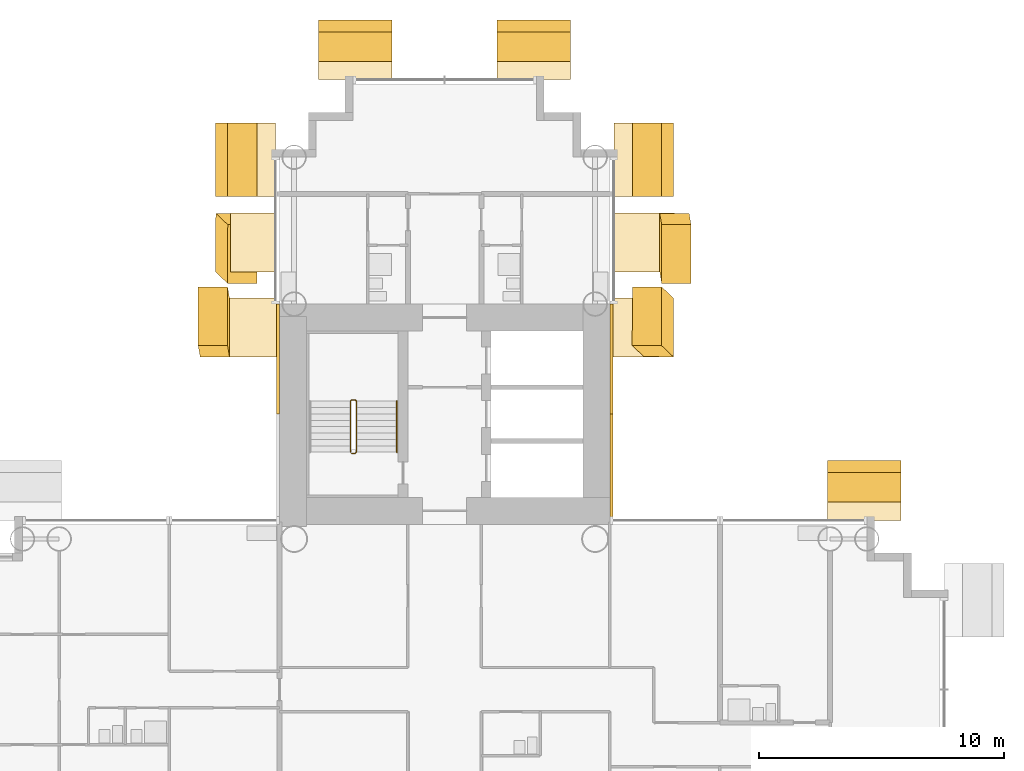
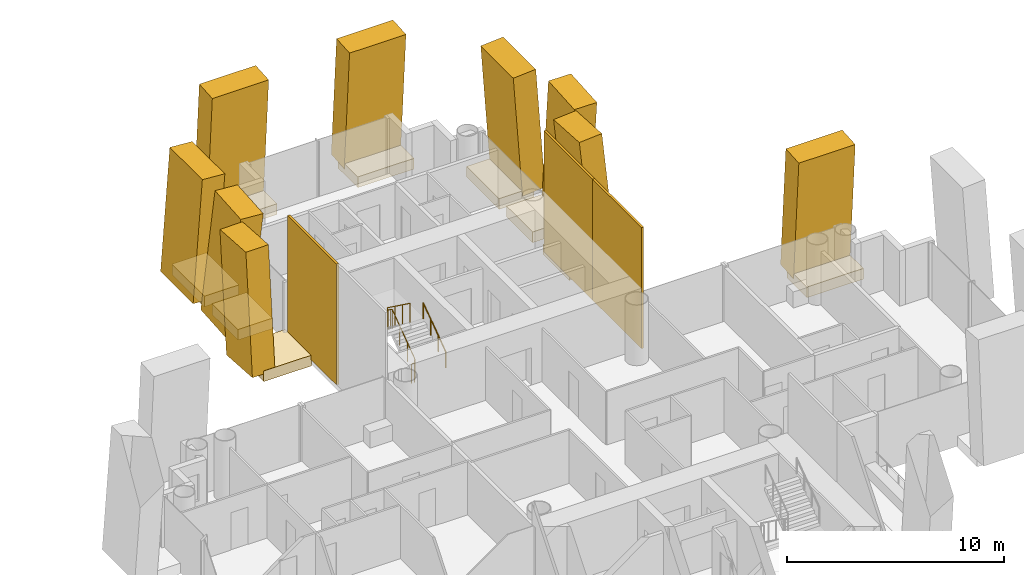
# One storey, part 24 of 25: 21 coverings, 2 railings.
"""IFC4 building model written with IfcOpenShell, lengths in metres."""

from ifc_helpers import new_model, si_unit, direction, frame, origin, origin_2d, place, context, subcontext, project, spatial, rectangle, circle, extrude, material, layer, layer_set, material_profile, profile_set, type_object, element, save


model = new_model("IFC4")

# Units and contexts
model_context = context("Model", 3, precision=1e-05, world=origin(), true_north=direction((0.0, 1.0)))
body_context = subcontext(model_context, "Body", "Model", "MODEL_VIEW")
ifc_project = project(units=[si_unit("LENGTHUNIT", "METRE"), si_unit("AREAUNIT", "SQUARE_METRE"), si_unit("VOLUMEUNIT", "CUBIC_METRE"), si_unit("PLANEANGLEUNIT", "RADIAN"), si_unit("MASSUNIT", "GRAM", prefix="KILO")], contexts=[model_context])

# Site, building, storey
site_placement = place(None, origin())
site = spatial("IfcSite", under=ifc_project, at=site_placement, CompositionType="ELEMENT")
building_placement = place(site_placement, origin())
building = spatial("IfcBuilding", under=site, at=building_placement, Name="Ipe Terrace Towers", CompositionType="ELEMENT")
storey_placement = place(building_placement, frame((0.0, 0.0, 31.300048828125)))
storey = spatial("IfcBuildingStorey", under=building, at=storey_placement, Name="L07", CompositionType="ELEMENT", Elevation=31.300048828125)

# Coverings
ifc_material_1 = material(Name="Concrete C50/60 precast, buff finish", Category="concrete")
ifc_layer = layer(ifc_material_1, 0.1201171875)
ifc_layer_set = layer_set([ifc_layer], Name="STONE CORE CLADDING 120")
covering_type_1 = type_object("IfcCoveringType", Name="STONE CORE CLADDING 120", PredefinedType="CLADDING", material=ifc_layer_set)
covering_1_placement = place(storey_placement, frame((29.18994140625, 13.5, 0.0), z_axis=(0.0, 0.0, 1.0), x_axis=(0.0, -1.0, 0.0)))
element("IfcCovering", 1, at=covering_1_placement, inside=storey, type_object=covering_type_1, Name="stone core cladding", PredefinedType="CLADDING", context=body_context, shape_type="SweptSolid", body=[
    extrude(rectangle(XDim=4.5009765625, YDim=0.1201171875, at=origin_2d()), origin(), (0.0, 0.0, 1.0), 6.800048828125),
])
covering_2_placement = place(storey_placement, frame((42.81005859375, 9.0, 0.0), z_axis=(0.0, 0.0, 1.0), x_axis=(0.0, 1.0, 0.0)))
element("IfcCovering", 2, at=covering_2_placement, inside=storey, type_object=covering_type_1, Name="stone core cladding", PredefinedType="CLADDING", context=body_context, shape_type="SweptSolid", body=[
    extrude(rectangle(XDim=4.5, YDim=0.1201171875, at=origin_2d()), origin(), (0.0, 0.0, 1.0), 6.800048828125),
])
covering_3_placement = place(storey_placement, frame((42.81005859375, 13.5, 0.0), z_axis=(0.0, 0.0, 1.0), x_axis=(0.0, 1.0, 0.0)))
element("IfcCovering", 3, at=covering_3_placement, inside=storey, type_object=covering_type_1, Name="stone core cladding", PredefinedType="CLADDING", context=body_context, shape_type="SweptSolid", body=[
    extrude(rectangle(XDim=4.5009765625, YDim=0.1201171875, at=origin_2d()), origin(), (0.0, 0.0, 1.0), 6.800048828125),
])
ifc_material_2 = material(Name="Concrete C50/60 precast, buff finish", Category="concrete")
ifc_material_profile_1 = material_profile(ifc_material_2, rectangle(XDim=2.39990234375, YDim=1.199951171875, at=origin_2d()), Name="STONE FIN 2400 x 1200")
ifc_profile_set_1 = profile_set([ifc_material_profile_1], Name="Concrete C50/60 precast, buff finish")
covering_type_2 = type_object("IfcCoveringType", Name="STONE FIN 2400 x 1200", PredefinedType="USERDEFINED", material=ifc_profile_set_1)
covering_4_placement = place(storey_placement, frame((26.611083984375, 14.7890625, 0.0), z_axis=(-0.011604746907, 0.068052528161, 0.997614245718), x_axis=(-0.000791567422, -0.99768173954, 0.068047924363)))
element("IfcCovering", 4, at=covering_4_placement, inside=storey, type_object=covering_type_2, Name="stone fin", ObjectType="FIN", PredefinedType="USERDEFINED", context=body_context, shape_type="SweptSolid", body=[
    extrude(rectangle(XDim=2.39990234375, YDim=1.199951171875, at=origin_2d()), origin(), (0.0, 0.0, 1.0), 6.81640625),
])
for number, where, z_axis, x_axis, name in (
    (5, (27.241943359375, 18.260986328125, 0.0), (0.071704749447, -0.067881925236, 0.995113296632), (-0.004878709859, -0.997693361823, -0.067706380526), "stone fin"),
    (6, (44.758056640625, 14.7890625, 0.0), (-0.071704749447, 0.067881925236, 0.995113296632), (0.004878709859, 0.997693361823, -0.067706380526), "stone fin"),
):
    element("IfcCovering", number, at=place(storey_placement, frame(where, z_axis=z_axis, x_axis=x_axis)), inside=storey, type_object=covering_type_2, Name=name, ObjectType="FIN", PredefinedType="USERDEFINED", context=body_context, shape_type="SweptSolid", body=[
        extrude(rectangle(XDim=2.39990234375, YDim=1.199951171875, at=origin_2d()), origin(), (0.0, 0.0, 1.0), 6.83349609375),
    ])
covering_5_placement = place(storey_placement, frame((45.388916015625, 18.260986328125, 0.0), z_axis=(0.011604746907, -0.068052528161, 0.997614245718), x_axis=(0.000791567422, 0.99768173954, 0.068047924363)))
element("IfcCovering", 7, at=covering_5_placement, inside=storey, type_object=covering_type_2, Name="stone fin", ObjectType="FIN", PredefinedType="USERDEFINED", context=body_context, shape_type="SweptSolid", body=[
    extrude(rectangle(XDim=2.39990234375, YDim=1.199951171875, at=origin_2d()), origin(), (0.0, 0.0, 1.0), 6.81640625),
])
ifc_material_3 = material(Name="Concrete C50/60 precast, buff finish", Category="concrete")
ifc_material_profile_2 = material_profile(ifc_material_3, rectangle(XDim=3.0, YDim=1.199951171875, at=origin_2d()), Name="STONE FIN CORNER 3000 x 1200")
ifc_profile_set_2 = profile_set([ifc_material_profile_2], Name="Concrete C50/60 precast, buff finish")
covering_type_3 = type_object("IfcCoveringType", Name="STONE FIN CORNER 3000 x 1200", PredefinedType="USERDEFINED", material=ifc_profile_set_2)
for number, where, z_axis, x_axis, name in (
    (8, (27.241943359375, 21.64990234375, 0.0), (0.071870528752, 0.0, 0.997413969772), (0.0, -1.0, 0.0), "stone fin"),
    (9, (32.35009765625, 26.758056640625, 0.0), (0.0, -0.071870528752, 0.997413969772), (-1.0, 0.0, 0.0), "stone fin"),
    (10, (39.64990234375, 26.758056640625, 0.0), (0.0, -0.071870528752, 0.997413969772), (-1.0, 0.0, 0.0), "stone fin"),
    (11, (44.758056640625, 21.64990234375, 0.0), (-0.071870528752, 0.0, 0.997413969772), (0.0, 1.0, 0.0), "stone fin"),
    (12, (53.14990234375, 8.758056640625, 0.0), (0.0, -0.071870528752, 0.997413969772), (-1.0, 0.0, 0.0), "stone fin"),
):
    element("IfcCovering", number, at=place(storey_placement, frame(where, z_axis=z_axis, x_axis=x_axis)), inside=storey, type_object=covering_type_3, Name=name, ObjectType="FIN", PredefinedType="USERDEFINED", context=body_context, shape_type="SweptSolid", body=[
        extrude(rectangle(XDim=3.0, YDim=1.199951171875, at=origin_2d()), origin(), (0.0, 0.0, 1.0), 6.817626953125),
    ])
ifc_material_4 = material(Name="Concrete C50/60 precast, buff finish", Category="concrete")
covering_type_4 = type_object("IfcCoveringType", Name="STONE FIN SHELF 2400 x 600", PredefinedType="CLADDING", material=ifc_material_4)
covering_6_placement = place(storey_placement, frame((27.875, 14.7890625, -0.35009765625), z_axis=(0.0, 0.0, 1.0), x_axis=(0.0, -1.0, 0.0)))
element("IfcCovering", 13, at=covering_6_placement, inside=storey, type_object=covering_type_4, Name="stone fin shelf", PredefinedType="CLADDING", context=body_context, shape_type="SweptSolid", body=[
    extrude(rectangle(XDim=2.39990234375, YDim=2.529052734375, at=origin_2d()), origin(), (0.0, 0.0, 1.0), 0.60009765625),
])
covering_7_placement = place(storey_placement, frame((28.1630859375, 18.260986328125, -0.35009765625), z_axis=(0.0, 0.0, 1.0), x_axis=(0.0, -1.0, 0.0)))
element("IfcCovering", 14, at=covering_7_placement, inside=storey, type_object=covering_type_4, Name="stone fin shelf", PredefinedType="CLADDING", context=body_context, shape_type="SweptSolid", body=[
    extrude(rectangle(XDim=2.39990234375, YDim=1.842041015625, at=origin_2d()), origin(), (0.0, 0.0, 1.0), 0.60009765625),
])
covering_8_placement = place(storey_placement, frame((43.80908203125, 14.7890625, -0.35009765625), z_axis=(0.0, 0.0, 1.0), x_axis=(0.0, 1.0, 0.0)))
element("IfcCovering", 15, at=covering_8_placement, inside=storey, type_object=covering_type_4, Name="stone fin shelf", PredefinedType="CLADDING", context=body_context, shape_type="SweptSolid", body=[
    extrude(rectangle(XDim=2.39990234375, YDim=1.89794921875, at=origin_2d()), origin(), (0.0, 0.0, 1.0), 0.60009765625),
])
covering_9_placement = place(storey_placement, frame((44.153076171875, 18.260986328125, -0.35009765625), z_axis=(0.0, 0.0, 1.0), x_axis=(0.0, 1.0, 0.0)))
element("IfcCovering", 16, at=covering_9_placement, inside=storey, type_object=covering_type_4, Name="stone fin shelf", PredefinedType="CLADDING", context=body_context, shape_type="SweptSolid", body=[
    extrude(rectangle(XDim=2.39990234375, YDim=2.472900390625, at=origin_2d()), origin(), (0.0, 0.0, 1.0), 0.60009765625),
])
ifc_material_5 = material(Name="Concrete C50/60 precast, buff finish", Category="concrete")
covering_type_5 = type_object("IfcCoveringType", Name="STONE FIN SHELF 3000 x 600", PredefinedType="CLADDING", material=ifc_material_5)
for number, where, z_axis, x_axis, name in (
    (17, (28.1630859375, 21.64990234375, -0.35009765625), (0.0, 0.0, 1.0), (0.0, -1.0, 0.0), "stone fin shelf"),
    (18, (32.35009765625, 25.8369140625, -0.35009765625), (0.0, 0.0, 1.0), (-1.0, 0.0, 0.0), "stone fin shelf"),
    (19, (39.64990234375, 25.8369140625, -0.35009765625), (0.0, 0.0, 1.0), (-1.0, 0.0, 0.0), "stone fin shelf"),
    (20, (43.8369140625, 21.64990234375, -0.35009765625), (0.0, 0.0, 1.0), (0.0, 1.0, 0.0), "stone fin shelf"),
    (21, (53.14990234375, 7.8369140625, -0.35009765625), (0.0, 0.0, 1.0), (-1.0, 0.0, 0.0), "stone fin shelf"),
):
    element("IfcCovering", number, at=place(storey_placement, frame(where, z_axis=z_axis, x_axis=x_axis)), inside=storey, type_object=covering_type_5, Name=name, PredefinedType="CLADDING", context=body_context, shape_type="SweptSolid", body=[
        extrude(rectangle(XDim=3.0, YDim=1.842041015625, at=origin_2d()), origin(), (0.0, 0.0, 1.0), 0.60009765625),
    ])

# Railings
ifc_material_6 = material(Name="Steel S355", Category="steel")
railing_type_1 = type_object("IfcRailingType", Name="Stair guard 1100", PredefinedType="GUARDRAIL", material=ifc_material_6)
railing_1_placement = place(storey_placement, frame((32.199951171875, 9.64990234375, 0.0)))
element("IfcRailing", 22, at=railing_1_placement, inside=storey, type_object=railing_type_1, Name="L07 T2-ST1 stair guard 1", PredefinedType="GUARDRAIL", context=body_context, shape_type="SweptSolid", body=[
    extrude(circle(Radius=0.02392578125, at=origin_2d()), frame((0.0, 0.0, 1.076171875), z_axis=(1.0, 0.0, 0.0), x_axis=(0.0, 1.0, 0.0)), (0.0, 0.0, 1.0), 0.150146484375),
    extrude(circle(Radius=0.02392578125, at=origin_2d()), frame((0.150146484375, 0.0, 1.076171875), z_axis=(0.247173786771, 0.248385422981, 0.936594790069), x_axis=(-0.708833529934, 0.705375805398, 0.0)), (0.0, 0.0, 1.0), 0.201416015625),
    extrude(circle(Radius=0.02392578125, at=origin_2d()), frame((0.199951171875, 0.050048828125, 1.2646484375), z_axis=(0.0, 0.809023421508, 0.587776406001), x_axis=(-1.0, 0.0, 0.0)), (0.0, 0.0, 1.0), 2.571044921875),
    extrude(circle(Radius=0.02392578125, at=origin_2d()), frame((0.199951171875, 2.130126953125, 2.77587890625), z_axis=(-0.705375805398, 0.708833529934, 0.0), x_axis=(-0.708833529934, -0.705375805398, 0.0)), (0.0, 0.0, 1.0), 0.070556640625),
    extrude(circle(Radius=0.02392578125, at=origin_2d()), frame((0.150146484375, 2.18017578125, 2.77587890625), z_axis=(-1.0, 0.0, 0.0), x_axis=(0.0, -1.0, 0.0)), (0.0, 0.0, 1.0), 0.150146484375),
    extrude(circle(Radius=0.02392578125, at=origin_2d()), frame((0.0, 2.18017578125, 2.77587890625), z_axis=(-0.248029566107, -0.248029566107, 0.936462849596), x_axis=(0.707106781187, -0.707106781187, 0.0)), (0.0, 0.0, 1.0), 0.201904296875),
    extrude(circle(Radius=0.02392578125, at=origin_2d()), frame((-0.050048828125, 2.130126953125, 2.96484375), z_axis=(0.0, -0.809068575486, 0.587714250432), x_axis=(1.0, 0.0, 0.0)), (0.0, 0.0, 1.0), 2.571044921875),
    extrude(circle(Radius=0.02099609375, at=origin_2d()), origin(), (0.0, 0.0, 1.0), 1.052001953125),
    extrude(circle(Radius=0.02099609375, at=origin_2d()), frame((0.150146484375, 0.0, 0.0)), (0.0, 0.0, 1.0), 1.052001953125),
    extrude(circle(Radius=0.02099609375, at=origin_2d()), frame((0.199951171875, 0.050048828125, 0.188720703125)), (0.0, 0.0, 1.0), 1.052001953125),
    extrude(circle(Radius=0.02099609375, at=origin_2d()), frame((0.199951171875, 0.743408203125, 0.6923828125)), (0.0, 0.0, 1.0), 1.052001953125),
    extrude(circle(Radius=0.02099609375, at=origin_2d()), frame((0.199951171875, 1.436767578125, 1.1962890625)), (0.0, 0.0, 1.0), 1.052001953125),
    extrude(circle(Radius=0.02099609375, at=origin_2d()), frame((0.199951171875, 2.130126953125, 1.699951171875)), (0.0, 0.0, 1.0), 1.052001953125),
    extrude(circle(Radius=0.02099609375, at=origin_2d()), frame((0.150146484375, 2.18017578125, 1.699951171875)), (0.0, 0.0, 1.0), 1.052001953125),
    extrude(circle(Radius=0.02099609375, at=origin_2d()), frame((0.0, 2.18017578125, 1.699951171875)), (0.0, 0.0, 1.0), 1.052001953125),
    extrude(circle(Radius=0.02099609375, at=origin_2d()), frame((-0.050048828125, 2.130126953125, 1.888916015625)), (0.0, 0.0, 1.0), 1.052001953125),
    extrude(circle(Radius=0.02099609375, at=origin_2d()), frame((-0.050048828125, 1.436767578125, 2.392578125)), (0.0, 0.0, 1.0), 1.052001953125),
    extrude(circle(Radius=0.02099609375, at=origin_2d()), frame((-0.050048828125, 0.743408203125, 2.896240234375)), (0.0, 0.0, 1.0), 1.052001953125),
    extrude(circle(Radius=0.02099609375, at=origin_2d()), frame((-0.050048828125, 0.050048828125, 3.39990234375)), (0.0, 0.0, 1.0), 1.052001953125),
])
ifc_material_7 = material(Name="Stainless steel grade 304", Category="steel")
railing_type_2 = type_object("IfcRailingType", Name="Stair handrail 900", PredefinedType="HANDRAIL", material=ifc_material_7)
railing_2_placement = place(storey_placement, frame((34.050048828125, 9.699951171875, 0.188720703125)))
element("IfcRailing", 23, at=railing_2_placement, inside=storey, type_object=railing_type_2, Name="L07 T2-ST1 stair handrail 1", PredefinedType="HANDRAIL", context=body_context, shape_type="SweptSolid", body=[
    extrude(circle(Radius=0.02392578125, at=origin_2d()), frame((0.0, 0.0, 0.8759765625), z_axis=(0.0, 0.809023421508, 0.587776406001), x_axis=(-1.0, 0.0, 0.0)), (0.0, 0.0, 1.0), 2.571044921875),
    extrude(circle(Radius=0.02099609375, at=origin_2d()), origin(), (0.0, 0.0, 1.0), 0.851806640625),
    extrude(circle(Radius=0.02099609375, at=origin_2d()), frame((0.0, 0.693359375, 0.503662109375)), (0.0, 0.0, 1.0), 0.851806640625),
    extrude(circle(Radius=0.02099609375, at=origin_2d()), frame((0.0, 1.38671875, 1.007568359375)), (0.0, 0.0, 1.0), 0.851806640625),
    extrude(circle(Radius=0.02099609375, at=origin_2d()), frame((0.0, 2.080078125, 1.51123046875)), (0.0, 0.0, 1.0), 0.851806640625),
])

save(model, "model.ifc")
